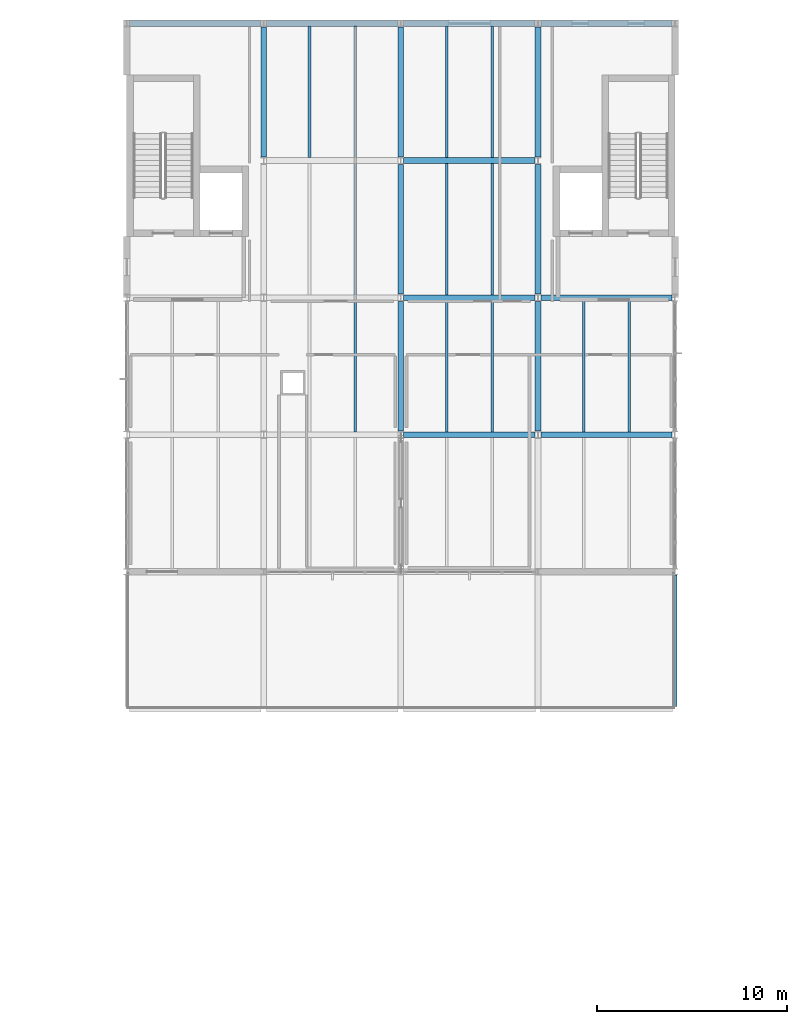
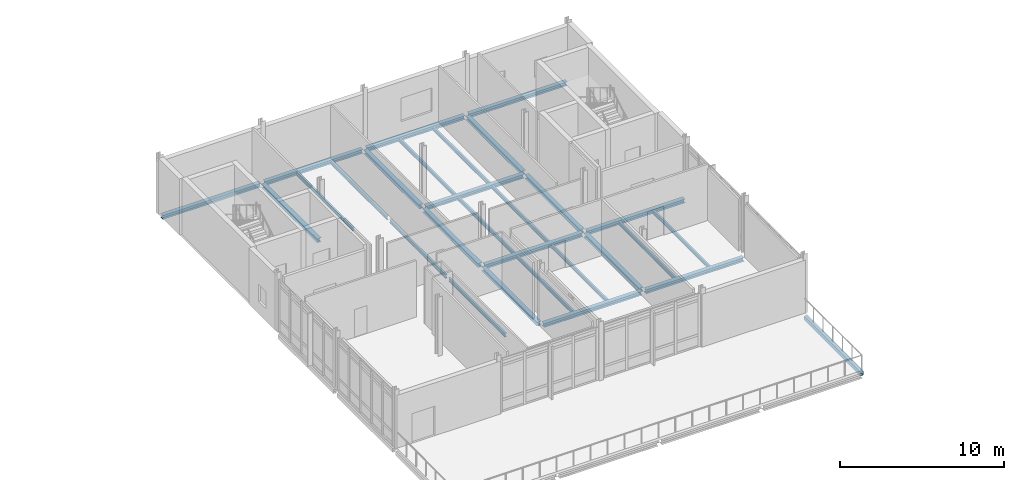
# One storey, part 21 of 53: 29 beams.
"""IFC4 building model written with IfcOpenShell, lengths in metres."""

from ifc_helpers import new_model, si_unit, direction, frame, origin, origin_2d, place, context, subcontext, project, spatial, hollow_rectangle, i_section, extrude, material, material_profile, profile_set, type_object, element, save


model = new_model("IFC4")

# Units and contexts
model_context = context("Model", 3, precision=1e-05, world=origin(), true_north=direction((0.0, 1.0)))
body_context = subcontext(model_context, "Body", "Model", "MODEL_VIEW")
ifc_project = project(units=[si_unit("LENGTHUNIT", "METRE"), si_unit("AREAUNIT", "SQUARE_METRE"), si_unit("VOLUMEUNIT", "CUBIC_METRE"), si_unit("PLANEANGLEUNIT", "RADIAN"), si_unit("MASSUNIT", "GRAM", prefix="KILO")], contexts=[model_context])

# Site, building, storey
site_placement = place(None, origin())
site = spatial("IfcSite", under=ifc_project, at=site_placement, CompositionType="ELEMENT")
building_placement = place(site_placement, origin())
building = spatial("IfcBuilding", under=site, at=building_placement, Name="Zarrinpeak Specialist Clinic", CompositionType="ELEMENT")
storey_placement = place(building_placement, frame((0.0, 0.0, 14.0)))
storey = spatial("IfcBuildingStorey", under=building, at=storey_placement, Name="L03", CompositionType="ELEMENT", Elevation=14.0)

# Beams
ifc_material = material(Name="Steel S355", Category="steel")
ifc_material_profile_1 = material_profile(ifc_material, i_section(OverallWidth=0.300048828125, OverallDepth=0.2900390625, WebThickness=0.008544921875, FlangeThickness=0.013916015625, FilletRadius=0.027099609375, at=origin_2d()), Name="HEA 300")
ifc_profile_set_1 = profile_set([ifc_material_profile_1], Name="Steel S355")
beam_type_1 = type_object("IfcBeamType", Name="BM-HEA300", PredefinedType="BEAM", material=ifc_profile_set_1)
beam_1_placement = place(storey_placement, frame((50.548095703125, 96.39990234375, -0.344970703125), z_axis=(1.0, 0.0, 0.0), x_axis=(0.0, 1.0, 0.0)))
element("IfcBeam", 1, at=beam_1_placement, inside=storey, type_object=beam_type_1, Name="L03 Primary Floor Girder BM-L03-X1581", PredefinedType="BEAM", context=body_context, shape_type="SweptSolid", body=[
    extrude(i_section(OverallWidth=0.300048828125, OverallDepth=0.2900390625, WebThickness=0.008544921875, FlangeThickness=0.013916015625, FilletRadius=0.027099609375, at=origin_2d()), origin(), (0.0, 0.0, 1.0), 6.90380859375),
])
beam_2_placement = place(storey_placement, frame((57.748046875, 96.39990234375, -0.344970703125), z_axis=(1.0, 0.0, 0.0), x_axis=(0.0, 1.0, 0.0)))
element("IfcBeam", 2, at=beam_2_placement, inside=storey, type_object=beam_type_1, Name="L03 Primary Floor Girder BM-L03-X1582", PredefinedType="BEAM", context=body_context, shape_type="SweptSolid", body=[
    extrude(i_section(OverallWidth=0.300048828125, OverallDepth=0.2900390625, WebThickness=0.008544921875, FlangeThickness=0.013916015625, FilletRadius=0.027099609375, at=origin_2d()), origin(), (0.0, 0.0, 1.0), 6.904052734375),
])
beam_3_placement = place(storey_placement, frame((50.548095703125, 103.60009765625, -0.344970703125), z_axis=(1.0, 0.0, 0.0), x_axis=(0.0, 1.0, 0.0)))
element("IfcBeam", 3, at=beam_3_placement, inside=storey, type_object=beam_type_1, Name="L03 Primary Floor Girder BM-L03-X1585", PredefinedType="BEAM", context=body_context, shape_type="SweptSolid", body=[
    extrude(i_section(OverallWidth=0.300048828125, OverallDepth=0.2900390625, WebThickness=0.008544921875, FlangeThickness=0.013916015625, FilletRadius=0.027099609375, at=origin_2d()), origin(), (0.0, 0.0, 1.0), 6.90380859375),
])
beam_4_placement = place(storey_placement, frame((57.748046875, 103.60009765625, -0.344970703125), z_axis=(1.0, 0.0, 0.0), x_axis=(0.0, 1.0, 0.0)))
element("IfcBeam", 4, at=beam_4_placement, inside=storey, type_object=beam_type_1, Name="L03 Primary Floor Girder BM-L03-X1586", PredefinedType="BEAM", context=body_context, shape_type="SweptSolid", body=[
    extrude(i_section(OverallWidth=0.300048828125, OverallDepth=0.2900390625, WebThickness=0.008544921875, FlangeThickness=0.013916015625, FilletRadius=0.027099609375, at=origin_2d()), origin(), (0.0, 0.0, 1.0), 6.904052734375),
])
beam_5_placement = place(storey_placement, frame((50.548095703125, 110.800048828125, -0.344970703125), z_axis=(1.0, 0.0, 0.0), x_axis=(0.0, 1.0, 0.0)))
element("IfcBeam", 5, at=beam_5_placement, inside=storey, type_object=beam_type_1, Name="L03 Primary Floor Girder BM-L03-X1588", PredefinedType="BEAM", context=body_context, shape_type="SweptSolid", body=[
    extrude(i_section(OverallWidth=0.300048828125, OverallDepth=0.2900390625, WebThickness=0.008544921875, FlangeThickness=0.013916015625, FilletRadius=0.027099609375, at=origin_2d()), origin(), (0.0, 0.0, 1.0), 6.90380859375),
])
for number, where, z_axis, x_axis, name in (
    (6, (36.14794921875, 118.0, -0.344970703125), (1.0, 0.0, 0.0), (0.0, 1.0, 0.0), "L03 Primary Floor Girder BM-L03-X1589"),
    (7, (43.347900390625, 118.0, -0.344970703125), (1.0, 0.0, 0.0), (0.0, 1.0, 0.0), "L03 Primary Floor Girder BM-L03-X1590"),
):
    element("IfcBeam", number, at=place(storey_placement, frame(where, z_axis=z_axis, x_axis=x_axis)), inside=storey, type_object=beam_type_1, Name=name, PredefinedType="BEAM", context=body_context, shape_type="SweptSolid", body=[
        extrude(i_section(OverallWidth=0.300048828125, OverallDepth=0.2900390625, WebThickness=0.008544921875, FlangeThickness=0.013916015625, FilletRadius=0.027099609375, at=origin_2d()), origin(), (0.0, 0.0, 1.0), 6.904052734375),
    ])
beam_6_placement = place(storey_placement, frame((50.548095703125, 118.0, -0.344970703125), z_axis=(1.0, 0.0, 0.0), x_axis=(0.0, 1.0, 0.0)))
element("IfcBeam", 8, at=beam_6_placement, inside=storey, type_object=beam_type_1, Name="L03 Primary Floor Girder BM-L03-X1591", PredefinedType="BEAM", context=body_context, shape_type="SweptSolid", body=[
    extrude(i_section(OverallWidth=0.300048828125, OverallDepth=0.2900390625, WebThickness=0.008544921875, FlangeThickness=0.013916015625, FilletRadius=0.027099609375, at=origin_2d()), origin(), (0.0, 0.0, 1.0), 6.90380859375),
])
beam_7_placement = place(storey_placement, frame((57.748046875, 118.0, -0.344970703125), z_axis=(1.0, 0.0, 0.0), x_axis=(0.0, 1.0, 0.0)))
element("IfcBeam", 9, at=beam_7_placement, inside=storey, type_object=beam_type_1, Name="L03 Primary Floor Girder BM-L03-X1592", PredefinedType="BEAM", context=body_context, shape_type="SweptSolid", body=[
    extrude(i_section(OverallWidth=0.300048828125, OverallDepth=0.2900390625, WebThickness=0.008544921875, FlangeThickness=0.013916015625, FilletRadius=0.027099609375, at=origin_2d()), origin(), (0.0, 0.0, 1.0), 6.904052734375),
])
beam_8_placement = place(storey_placement, frame((43.199951171875, 110.998046875, -0.344970703125), z_axis=(0.0, 1.0, 0.0), x_axis=(-1.0, 0.0, 0.0)))
element("IfcBeam", 10, at=beam_8_placement, inside=storey, type_object=beam_type_1, Name="L03 Primary Beam BM-L03-Y1659", PredefinedType="BEAM", context=body_context, shape_type="SweptSolid", body=[
    extrude(i_section(OverallWidth=0.300048828125, OverallDepth=0.2900390625, WebThickness=0.008544921875, FlangeThickness=0.013916015625, FilletRadius=0.027099609375, at=origin_2d()), origin(), (0.0, 0.0, 1.0), 6.803955078125),
])
beam_9_placement = place(storey_placement, frame((50.39990234375, 96.597900390625, -0.344970703125), z_axis=(0.0, 1.0, 0.0), x_axis=(-1.0, 0.0, 0.0)))
element("IfcBeam", 11, at=beam_9_placement, inside=storey, type_object=beam_type_1, Name="L03 Primary Beam BM-L03-Y1666", PredefinedType="BEAM", context=body_context, shape_type="SweptSolid", body=[
    extrude(i_section(OverallWidth=0.300048828125, OverallDepth=0.2900390625, WebThickness=0.008544921875, FlangeThickness=0.013916015625, FilletRadius=0.027099609375, at=origin_2d()), origin(), (0.0, 0.0, 1.0), 6.80419921875),
])
for number, where, z_axis, x_axis, name in (
    (12, (50.39990234375, 103.798095703125, -0.344970703125), (0.0, 1.0, 0.0), (-1.0, 0.0, 0.0), "L03 Primary Beam BM-L03-Y1667"),
    (13, (50.39990234375, 110.998046875, -0.344970703125), (0.0, 1.0, 0.0), (-1.0, 0.0, 0.0), "L03 Primary Beam BM-L03-Y1668"),
):
    element("IfcBeam", number, at=place(storey_placement, frame(where, z_axis=z_axis, x_axis=x_axis)), inside=storey, type_object=beam_type_1, Name=name, PredefinedType="BEAM", context=body_context, shape_type="SweptSolid", body=[
        extrude(i_section(OverallWidth=0.300048828125, OverallDepth=0.2900390625, WebThickness=0.008544921875, FlangeThickness=0.013916015625, FilletRadius=0.027099609375, at=origin_2d()), origin(), (0.0, 0.0, 1.0), 6.803955078125),
    ])
beam_10_placement = place(storey_placement, frame((57.60009765625, 96.597900390625, -0.344970703125), z_axis=(0.0, 1.0, 0.0), x_axis=(-1.0, 0.0, 0.0)))
element("IfcBeam", 14, at=beam_10_placement, inside=storey, type_object=beam_type_1, Name="L03 Primary Beam BM-L03-Y1673", PredefinedType="BEAM", context=body_context, shape_type="SweptSolid", body=[
    extrude(i_section(OverallWidth=0.300048828125, OverallDepth=0.2900390625, WebThickness=0.008544921875, FlangeThickness=0.013916015625, FilletRadius=0.027099609375, at=origin_2d()), origin(), (0.0, 0.0, 1.0), 6.80419921875),
])
for number, where, z_axis, x_axis, name in (
    (15, (57.60009765625, 103.798095703125, -0.344970703125), (0.0, 1.0, 0.0), (-1.0, 0.0, 0.0), "L03 Primary Beam BM-L03-Y1674"),
    (16, (57.60009765625, 110.998046875, -0.344970703125), (0.0, 1.0, 0.0), (-1.0, 0.0, 0.0), "L03 Primary Beam BM-L03-Y1675"),
):
    element("IfcBeam", number, at=place(storey_placement, frame(where, z_axis=z_axis, x_axis=x_axis)), inside=storey, type_object=beam_type_1, Name=name, PredefinedType="BEAM", context=body_context, shape_type="SweptSolid", body=[
        extrude(i_section(OverallWidth=0.300048828125, OverallDepth=0.2900390625, WebThickness=0.008544921875, FlangeThickness=0.013916015625, FilletRadius=0.027099609375, at=origin_2d()), origin(), (0.0, 0.0, 1.0), 6.803955078125),
    ])
ifc_material_profile_2 = material_profile(ifc_material, i_section(OverallWidth=0.135009765625, OverallDepth=0.27001953125, WebThickness=0.006591796875, FlangeThickness=0.01025390625, FilletRadius=0.014892578125, at=origin_2d()), Name="IPE 270")
ifc_profile_set_2 = profile_set([ifc_material_profile_2], Name="Steel S355")
beam_type_2 = type_object("IfcBeamType", Name="BM-JST270", PredefinedType="JOIST", material=ifc_profile_set_2)
beam_11_placement = place(storey_placement, frame((48.0, 96.548095703125, -0.3349609375), z_axis=(0.0, 1.0, 0.0), x_axis=(-1.0, 0.0, 0.0)))
element("IfcBeam", 17, at=beam_11_placement, inside=storey, type_object=beam_type_2, Name="L03 Composite Floor Joist JST-L03-1791", PredefinedType="JOIST", context=body_context, shape_type="SweptSolid", body=[
    extrude(i_section(OverallWidth=0.135009765625, OverallDepth=0.27001953125, WebThickness=0.006591796875, FlangeThickness=0.01025390625, FilletRadius=0.014892578125, at=origin_2d()), origin(), (0.0, 0.0, 1.0), 6.90380859375),
])
for number, where, z_axis, x_axis, name in (
    (18, (48.0, 103.748046875, -0.3349609375), (0.0, 1.0, 0.0), (-1.0, 0.0, 0.0), "L03 Composite Floor Joist JST-L03-1793"),
    (19, (45.60009765625, 110.947998046875, -0.3349609375), (0.0, 1.0, 0.0), (-1.0, 0.0, 0.0), "L03 Composite Floor Joist JST-L03-1794"),
    (20, (48.0, 110.947998046875, -0.3349609375), (0.0, 1.0, 0.0), (-1.0, 0.0, 0.0), "L03 Composite Floor Joist JST-L03-1795"),
):
    element("IfcBeam", number, at=place(storey_placement, frame(where, z_axis=z_axis, x_axis=x_axis)), inside=storey, type_object=beam_type_2, Name=name, PredefinedType="JOIST", context=body_context, shape_type="SweptSolid", body=[
        extrude(i_section(OverallWidth=0.135009765625, OverallDepth=0.27001953125, WebThickness=0.006591796875, FlangeThickness=0.01025390625, FilletRadius=0.014892578125, at=origin_2d()), origin(), (0.0, 0.0, 1.0), 6.904052734375),
    ])
for number, where, z_axis, x_axis, name in (
    (21, (52.800048828125, 96.548095703125, -0.3349609375), (0.0, 1.0, 0.0), (-1.0, 0.0, 0.0), "L03 Composite Floor Joist JST-L03-1798"),
    (22, (55.199951171875, 96.548095703125, -0.3349609375), (0.0, 1.0, 0.0), (-1.0, 0.0, 0.0), "L03 Composite Floor Joist JST-L03-1799"),
):
    element("IfcBeam", number, at=place(storey_placement, frame(where, z_axis=z_axis, x_axis=x_axis)), inside=storey, type_object=beam_type_2, Name=name, PredefinedType="JOIST", context=body_context, shape_type="SweptSolid", body=[
        extrude(i_section(OverallWidth=0.135009765625, OverallDepth=0.27001953125, WebThickness=0.006591796875, FlangeThickness=0.01025390625, FilletRadius=0.014892578125, at=origin_2d()), origin(), (0.0, 0.0, 1.0), 6.90380859375),
    ])
for number, where, z_axis, x_axis, name in (
    (23, (52.800048828125, 103.748046875, -0.3349609375), (0.0, 1.0, 0.0), (-1.0, 0.0, 0.0), "L03 Composite Floor Joist JST-L03-1800"),
    (24, (55.199951171875, 103.748046875, -0.3349609375), (0.0, 1.0, 0.0), (-1.0, 0.0, 0.0), "L03 Composite Floor Joist JST-L03-1801"),
    (25, (52.800048828125, 110.947998046875, -0.3349609375), (0.0, 1.0, 0.0), (-1.0, 0.0, 0.0), "L03 Composite Floor Joist JST-L03-1802"),
    (26, (55.199951171875, 110.947998046875, -0.3349609375), (0.0, 1.0, 0.0), (-1.0, 0.0, 0.0), "L03 Composite Floor Joist JST-L03-1803"),
):
    element("IfcBeam", number, at=place(storey_placement, frame(where, z_axis=z_axis, x_axis=x_axis)), inside=storey, type_object=beam_type_2, Name=name, PredefinedType="JOIST", context=body_context, shape_type="SweptSolid", body=[
        extrude(i_section(OverallWidth=0.135009765625, OverallDepth=0.27001953125, WebThickness=0.006591796875, FlangeThickness=0.01025390625, FilletRadius=0.014892578125, at=origin_2d()), origin(), (0.0, 0.0, 1.0), 6.904052734375),
    ])
for number, where, z_axis, x_axis, name in (
    (27, (60.0, 96.548095703125, -0.3349609375), (0.0, 1.0, 0.0), (-1.0, 0.0, 0.0), "L03 Composite Floor Joist JST-L03-1806"),
    (28, (62.39990234375, 96.548095703125, -0.3349609375), (0.0, 1.0, 0.0), (-1.0, 0.0, 0.0), "L03 Composite Floor Joist JST-L03-1807"),
):
    element("IfcBeam", number, at=place(storey_placement, frame(where, z_axis=z_axis, x_axis=x_axis)), inside=storey, type_object=beam_type_2, Name=name, PredefinedType="JOIST", context=body_context, shape_type="SweptSolid", body=[
        extrude(i_section(OverallWidth=0.135009765625, OverallDepth=0.27001953125, WebThickness=0.006591796875, FlangeThickness=0.01025390625, FilletRadius=0.014892578125, at=origin_2d()), origin(), (0.0, 0.0, 1.0), 6.90380859375),
    ])
ifc_material_profile_3 = material_profile(ifc_material, hollow_rectangle(XDim=0.199951171875, YDim=0.300048828125, WallThickness=0.012451171875, at=origin_2d()), Name="RHS 300x200x12.5")
ifc_profile_set_3 = profile_set([ifc_material_profile_3], Name="Steel S355")
beam_type_3 = type_object("IfcBeamType", Name="BM-SP300", PredefinedType="SPANDREL", material=ifc_profile_set_3)
beam_12_placement = place(storey_placement, frame((64.800048828125, 82.137939453125, -0.344970703125), z_axis=(0.0, 1.0, 0.0), x_axis=(-1.0, 0.0, 0.0)))
element("IfcBeam", 29, at=beam_12_placement, inside=storey, type_object=beam_type_3, Name="L03 Perimeter Spandrel Beam BM-L03-Y1680", PredefinedType="SPANDREL", context=body_context, shape_type="SweptSolid", body=[
    extrude(hollow_rectangle(XDim=0.199951171875, YDim=0.300048828125, WallThickness=0.012451171875, at=origin_2d()), origin(), (0.0, 0.0, 1.0), 6.884033203125),
])

save(model, "model.ifc")
